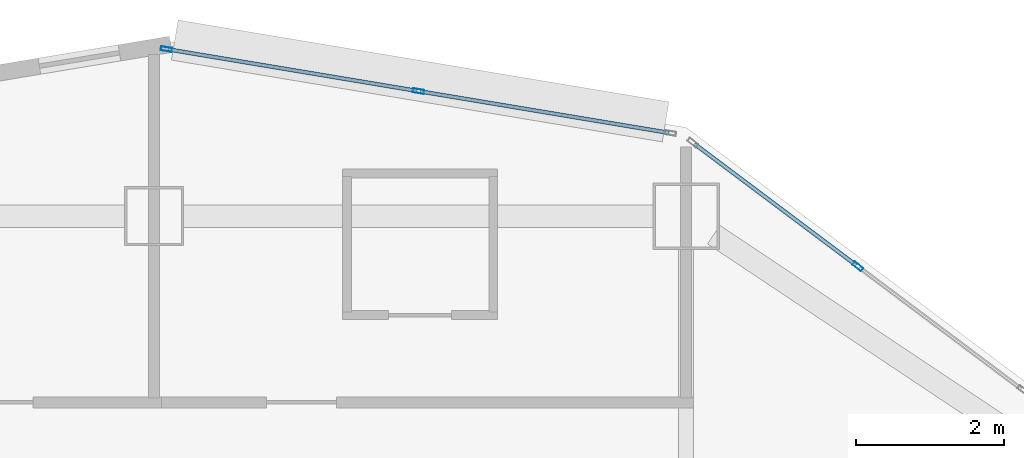
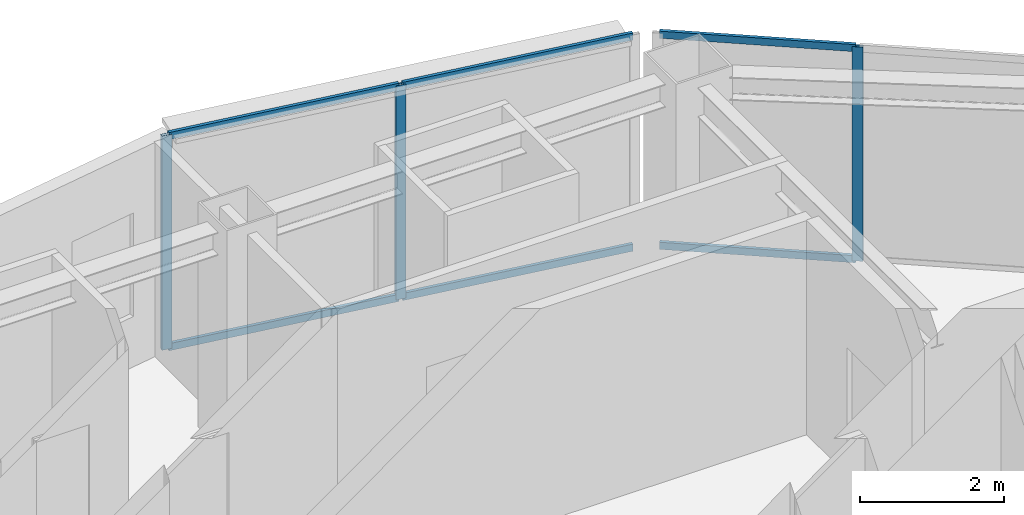
# One storey, part 2 of 12: 9 members, 2 elements without a shape of their own.
"""IFC4 building model written with IfcOpenShell, lengths in metres."""

from ifc_helpers import new_model, si_unit, direction, frame, origin, origin_2d, place, context, subcontext, project, spatial, hollow_rectangle, extrude, material, layer, layer_set, material_profile, profile_set, type_object, element, aggregate, save


model = new_model("IFC4")

# Units and contexts
model_context = context("Model", 3, precision=1e-05, world=origin(), true_north=direction((0.0, 1.0)))
body_context = subcontext(model_context, "Body", "Model", "MODEL_VIEW")
ifc_project = project(units=[si_unit("LENGTHUNIT", "METRE"), si_unit("AREAUNIT", "SQUARE_METRE"), si_unit("VOLUMEUNIT", "CUBIC_METRE"), si_unit("PLANEANGLEUNIT", "RADIAN"), si_unit("MASSUNIT", "GRAM", prefix="KILO")], contexts=[model_context])

# Site, building, storey
site_placement = place(None, origin())
site = spatial("IfcSite", under=ifc_project, at=site_placement, CompositionType="ELEMENT")
building_placement = place(site_placement, origin())
building = spatial("IfcBuilding", under=site, at=building_placement, Name="Haolan Belvedere Tower", CompositionType="ELEMENT")
storey_placement = place(building_placement, frame((0.0, 0.0, 169.0)))
storey = spatial("IfcBuildingStorey", under=building, at=storey_placement, Name="L42", CompositionType="ELEMENT", Elevation=169.0)

# Curtain wall, member
ifc_material_1 = material(Name="Anodised champagne-silver aluminium 6063-T6 and Low-E glass", Category="aluminium")
ifc_layer = layer(ifc_material_1, 0.14990234375, Name="Anodised champagne-silver aluminium 6063-T6 and Low-E glass")
ifc_layer_set = layer_set([ifc_layer], Name="Anodised champagne-silver aluminium 6063-T6 and Low-E glass")
curtain_wall_type = type_object("IfcCurtainWallType", Name="CW-SYS-04", PredefinedType="NOTDEFINED", material=ifc_layer_set)
curtain_wall_1_placement = place(storey_placement, origin())
curtain_wall_1 = element("IfcCurtainWall", 1, at=curtain_wall_1_placement, inside=storey, type_object=curtain_wall_type, Name="L42 CW-SYS-04 ribbon curtain wall 20.1", PredefinedType="NOTDEFINED")
ifc_material_2 = material(Name="Anodised aluminium 6063-T6", Category="aluminium")
ifc_material_profile_1 = material_profile(ifc_material_2, hollow_rectangle(XDim=0.055908203125, YDim=0.14990234375, WallThickness=0.00390625, at=origin_2d()), Name="Anodised aluminium 6063-T6")
ifc_profile_set_1 = profile_set([ifc_material_profile_1], Name="Anodised aluminium 6063-T6")
member_type_1 = type_object("IfcMemberType", Name="CW-SYS-04-MUL", PredefinedType="MULLION", material=ifc_profile_set_1)
member_1_placement = place(storey_placement, frame((47.9228515625, 49.720458984375, 0.0), z_axis=(0.0, 0.0, 1.0), x_axis=(-0.600002837806, -0.799997871638, 0.0)))
member_1 = element("IfcMember", 2, at=member_1_placement, type_object=member_type_1, Name="CW-04 mullion 2", PredefinedType="MULLION", context=body_context, shape_type="SweptSolid", body=[
    extrude(hollow_rectangle(XDim=0.055908203125, YDim=0.14990234375, WallThickness=0.00390625, at=origin_2d()), origin(), (0.0, 0.0, 1.0), 3.6201171875),
])

# Curtain wall, members
curtain_wall_2_placement = place(storey_placement, origin())
curtain_wall_2 = element("IfcCurtainWall", 3, at=curtain_wall_2_placement, inside=storey, type_object=curtain_wall_type, Name="L42 CW-SYS-04 ribbon curtain wall 21.1", PredefinedType="NOTDEFINED")
member_2_placement = place(storey_placement, frame((41.977783203125, 52.09228515625, 0.0), z_axis=(0.0, 0.0, 1.0), x_axis=(-0.164405962825, -0.98639276122, 0.0)))
member_2 = element("IfcMember", 4, at=member_2_placement, type_object=member_type_1, Name="CW-04 mullion 2", PredefinedType="MULLION", context=body_context, shape_type="SweptSolid", body=[
    extrude(hollow_rectangle(XDim=0.055908203125, YDim=0.14990234375, WallThickness=0.00390625, at=origin_2d()), origin(), (0.0, 0.0, 1.0), 3.6201171875),
])
member_3_placement = place(storey_placement, frame((38.565673828125, 52.660888671875, 0.0), z_axis=(0.0, 0.0, 1.0), x_axis=(-0.164405962825, -0.98639276122, 0.0)))
member_3 = element("IfcMember", 5, at=member_3_placement, type_object=member_type_1, Name="CW-04 mullion 3", PredefinedType="MULLION", context=body_context, shape_type="SweptSolid", body=[
    extrude(hollow_rectangle(XDim=0.055908203125, YDim=0.14990234375, WallThickness=0.00390625, at=origin_2d()), origin(), (0.0, 0.0, 1.0), 3.6201171875),
])

# Member
ifc_material_profile_2 = material_profile(ifc_material_2, hollow_rectangle(XDim=0.052001953125, YDim=0.1201171875, WallThickness=0.00390625, at=origin_2d()), Name="Anodised aluminium 6063-T6")
ifc_profile_set_2 = profile_set([ifc_material_profile_2], Name="Anodised aluminium 6063-T6")
member_type_2 = type_object("IfcMemberType", Name="CW-SYS-04-TRN", PredefinedType="USERDEFINED", material=ifc_profile_set_2)
member_4_placement = place(storey_placement, frame((47.900390625, 49.7373046875, 0.02587890625), z_axis=(-0.799978576274, 0.600028563905, 0.0), x_axis=(-0.600028563905, -0.799978576274, 0.0)))
member_4 = element("IfcMember", 6, at=member_4_placement, type_object=member_type_2, Name="CW-04 transom 2.1", ObjectType="TRANSOM", PredefinedType="USERDEFINED", context=body_context, shape_type="SweptSolid", body=[
    extrude(hollow_rectangle(XDim=0.052001953125, YDim=0.1201171875, WallThickness=0.00390625, at=origin_2d()), origin(), (0.0, 0.0, 1.0), 2.735107421875),
])

member_5_placement = place(storey_placement, frame((47.900390625, 49.7373046875, 3.593994140625), z_axis=(-0.799978576274, 0.600028563905, 0.0), x_axis=(-0.600028563905, -0.799978576274, 0.0)))
member_5 = element("IfcMember", 7, at=member_5_placement, type_object=member_type_2, Name="CW-04 transom 2.2", ObjectType="TRANSOM", PredefinedType="USERDEFINED", context=body_context, shape_type="SweptSolid", body=[
    extrude(hollow_rectangle(XDim=0.052001953125, YDim=0.1201171875, WallThickness=0.00390625, at=origin_2d()), origin(), (0.0, 0.0, 1.0), 2.735107421875),
])

aggregate(curtain_wall_1, [member_1, member_4, member_5])

member_6_placement = place(storey_placement, frame((45.362060546875, 51.528076171875, 0.02587890625), z_axis=(-0.986388106252, 0.164433888976, 0.0), x_axis=(-0.164433888976, -0.986388106252, 0.0)))
member_6 = element("IfcMember", 8, at=member_6_placement, type_object=member_type_2, Name="CW-04 transom 1.1", ObjectType="TRANSOM", PredefinedType="USERDEFINED", context=body_context, shape_type="SweptSolid", body=[
    extrude(hollow_rectangle(XDim=0.052001953125, YDim=0.1201171875, WallThickness=0.00390625, at=origin_2d()), origin(), (0.0, 0.0, 1.0), 3.403076171875),
])

member_7_placement = place(storey_placement, frame((45.362060546875, 51.528076171875, 3.593994140625), z_axis=(-0.986388106252, 0.164433888976, 0.0), x_axis=(-0.164433888976, -0.986388106252, 0.0)))
member_7 = element("IfcMember", 9, at=member_7_placement, type_object=member_type_2, Name="CW-04 transom 1.2", ObjectType="TRANSOM", PredefinedType="USERDEFINED", context=body_context, shape_type="SweptSolid", body=[
    extrude(hollow_rectangle(XDim=0.052001953125, YDim=0.1201171875, WallThickness=0.00390625, at=origin_2d()), origin(), (0.0, 0.0, 1.0), 3.403076171875),
])

member_8_placement = place(storey_placement, frame((41.9501953125, 52.096923828125, 0.02587890625), z_axis=(-0.986401678227, 0.164352454169, 0.0), x_axis=(-0.164352454169, -0.986401678227, 0.0)))
member_8 = element("IfcMember", 10, at=member_8_placement, type_object=member_type_2, Name="CW-04 transom 2.1", ObjectType="TRANSOM", PredefinedType="USERDEFINED", context=body_context, shape_type="SweptSolid", body=[
    extrude(hollow_rectangle(XDim=0.052001953125, YDim=0.1201171875, WallThickness=0.00390625, at=origin_2d()), origin(), (0.0, 0.0, 1.0), 3.4033203125),
])

member_9_placement = place(storey_placement, frame((41.9501953125, 52.096923828125, 3.593994140625), z_axis=(-0.986401678227, 0.164352454169, 0.0), x_axis=(-0.164352454169, -0.986401678227, 0.0)))
member_9 = element("IfcMember", 11, at=member_9_placement, type_object=member_type_2, Name="CW-04 transom 2.2", ObjectType="TRANSOM", PredefinedType="USERDEFINED", context=body_context, shape_type="SweptSolid", body=[
    extrude(hollow_rectangle(XDim=0.052001953125, YDim=0.1201171875, WallThickness=0.00390625, at=origin_2d()), origin(), (0.0, 0.0, 1.0), 3.4033203125),
])

aggregate(curtain_wall_2, [member_2, member_3, member_6, member_7, member_8, member_9])

save(model, "model.ifc")
